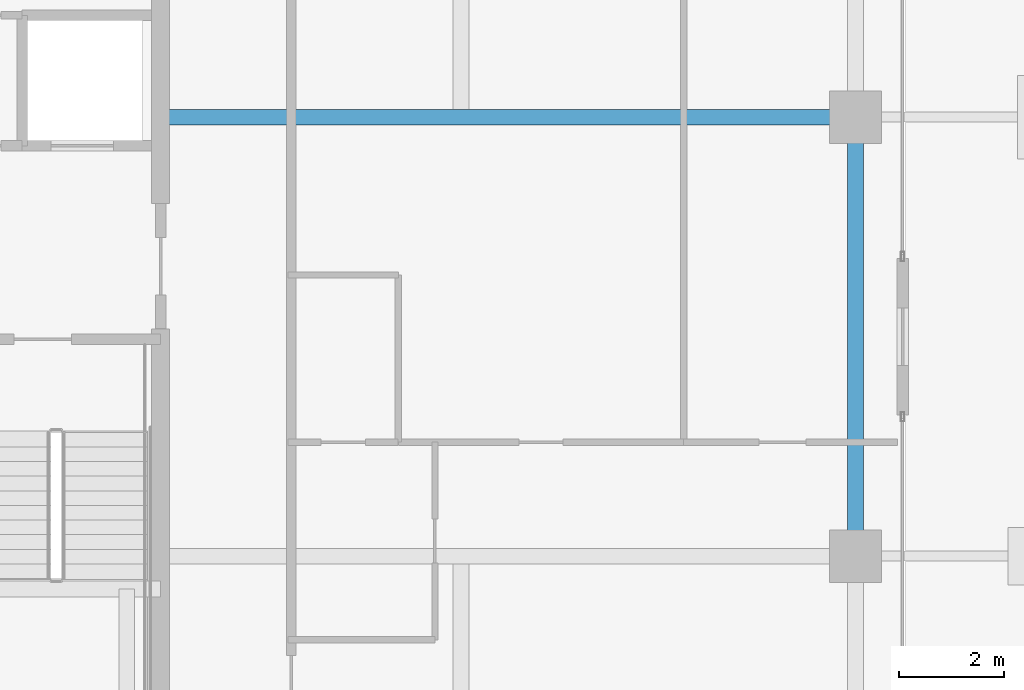
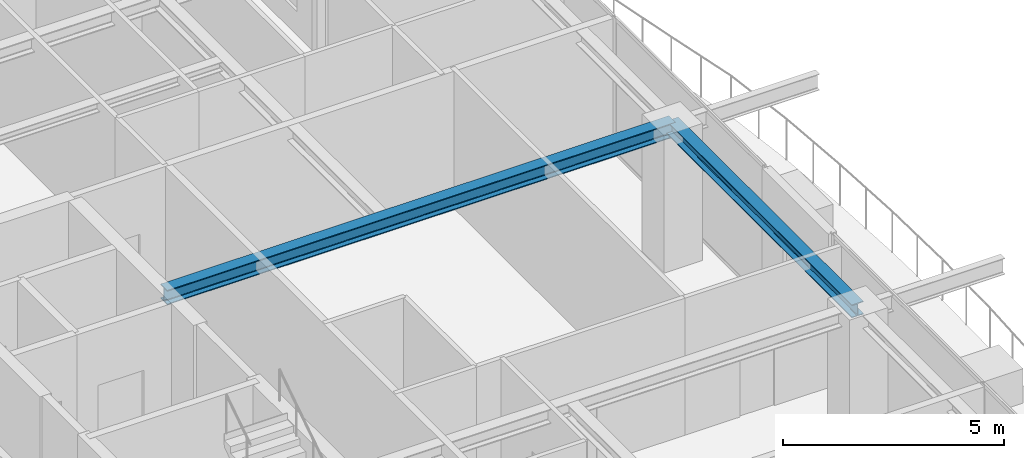
# One storey, part 17 of 42: 2 beams.
"""IFC4 building model written with IfcOpenShell, lengths in metres."""

from ifc_helpers import new_model, si_unit, direction, frame, origin, origin_2d, place, context, subcontext, project, spatial, i_section, extrude, source, transform, mapped, material, material_profile, profile_set, type_object, element, save


model = new_model("IFC4")

# Units and contexts
model_context = context("Model", 3, precision=1e-05, world=origin(), true_north=direction((0.0, 1.0)))
body_context = subcontext(model_context, "Body", "Model", "MODEL_VIEW")
ifc_project = project(units=[si_unit("LENGTHUNIT", "METRE"), si_unit("AREAUNIT", "SQUARE_METRE"), si_unit("VOLUMEUNIT", "CUBIC_METRE"), si_unit("PLANEANGLEUNIT", "RADIAN"), si_unit("MASSUNIT", "GRAM", prefix="KILO")], contexts=[model_context])

# Site, building, storey
site_placement = place(None, origin())
site = spatial("IfcSite", under=ifc_project, at=site_placement, CompositionType="ELEMENT")
building_placement = place(site_placement, origin())
building = spatial("IfcBuilding", under=site, at=building_placement, Name="Serunith Strait Residences", CompositionType="ELEMENT")
storey_placement = place(building_placement, frame((0.0, 0.0, 293.449951171875)))
storey = spatial("IfcBuildingStorey", under=building, at=storey_placement, Name="L73", CompositionType="ELEMENT", Elevation=293.449951171875)

# Beams
ifc_material = material(Name="Steel S355J2", Category="steel")
ifc_material_profile_1 = material_profile(ifc_material, i_section(OverallWidth=0.300048828125, OverallDepth=0.39990234375, WebThickness=0.013427734375, FlangeThickness=0.02392578125, FilletRadius=0.027099609375, at=origin_2d()), Name="HEB 400")
ifc_profile_set_1 = profile_set([ifc_material_profile_1], Name="Steel S355J2")
beam_type_1 = type_object("IfcBeamType", Name="BM-HEB400", PredefinedType="BEAM", material=ifc_profile_set_1)
shared_shape_1 = source(origin(), body_context, "Body", "SweptSolid", [
    extrude(i_section(OverallWidth=0.300048828125, OverallDepth=0.39990234375, WebThickness=0.013427734375, FlangeThickness=0.02392578125, FilletRadius=0.027099609375, at=origin_2d()), origin(), (0.0, 0.0, 1.0), 13.300048828125),
])
beam_1_placement = place(storey_placement, frame((41.39990234375, 29.39990234375, 3.587158203125), z_axis=(1.0, 0.0, 0.0), x_axis=(0.0, 1.0, 0.0)))
element("IfcBeam", 1, at=beam_1_placement, inside=storey, type_object=beam_type_1, Name="L73 Primary Floor Girder TC-E3", PredefinedType="BEAM", context=body_context, shape_type="MappedRepresentation", body=[
    mapped(shared_shape_1, transform((0.0, 0.0, 0.0), scale=1.0)),
])
ifc_material_profile_2 = material_profile(ifc_material, i_section(OverallWidth=0.300048828125, OverallDepth=0.360107421875, WebThickness=0.012451171875, FlangeThickness=0.0224609375, FilletRadius=0.027099609375, at=origin_2d()), Name="HEB 360")
ifc_profile_set_2 = profile_set([ifc_material_profile_2], Name="Steel S355J2")
beam_type_2 = type_object("IfcBeamType", Name="BM-HEB360", PredefinedType="BEAM", material=ifc_profile_set_2)
shared_shape_2 = source(origin(), body_context, "Body", "SweptSolid", [
    extrude(i_section(OverallWidth=0.300048828125, OverallDepth=0.360107421875, WebThickness=0.012451171875, FlangeThickness=0.0224609375, FilletRadius=0.027099609375, at=origin_2d()), origin(), (0.0, 0.0, 1.0), 8.39990234375),
])
beam_2_placement = place(storey_placement, frame((54.699951171875, 21.0, 3.60693359375), z_axis=(0.0, 1.0, 0.0), x_axis=(-1.0, 0.0, 0.0)))
element("IfcBeam", 2, at=beam_2_placement, inside=storey, type_object=beam_type_2, Name="L73 Perimeter Ring Beam 06", PredefinedType="BEAM", context=body_context, shape_type="MappedRepresentation", body=[
    mapped(shared_shape_2, transform((0.0, 0.0, 0.0), scale=1.0)),
])

save(model, "model.ifc")
